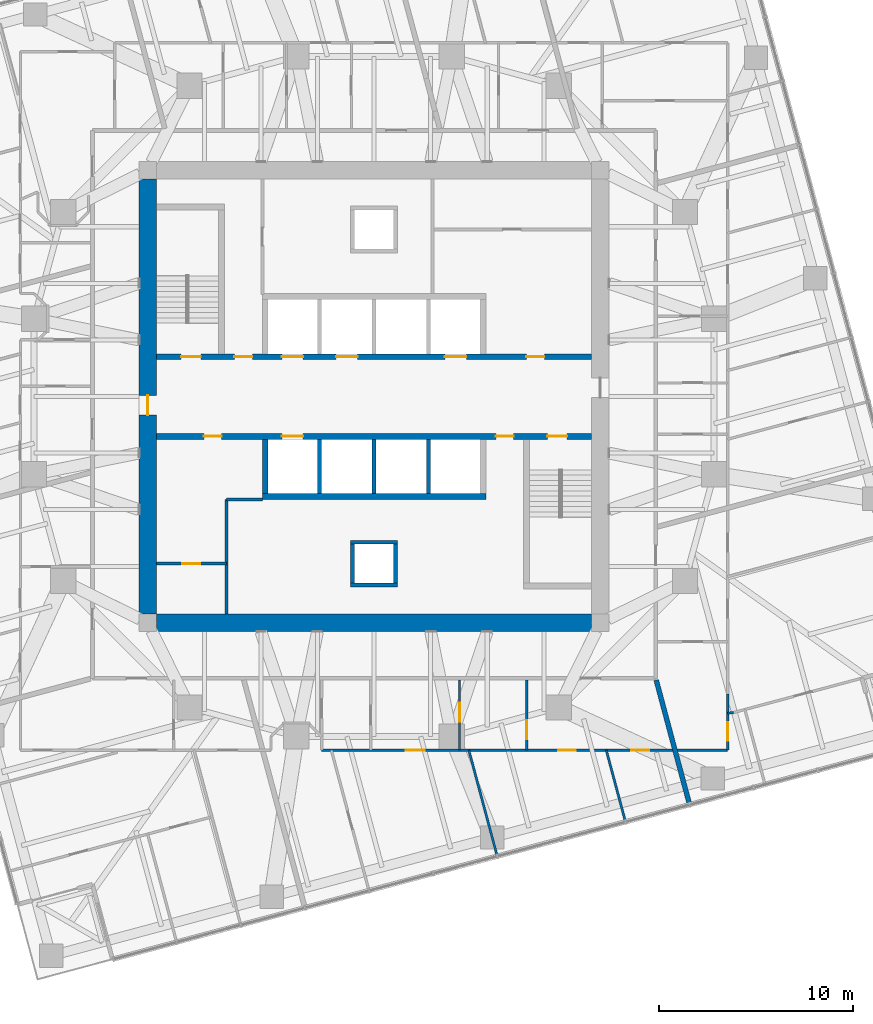
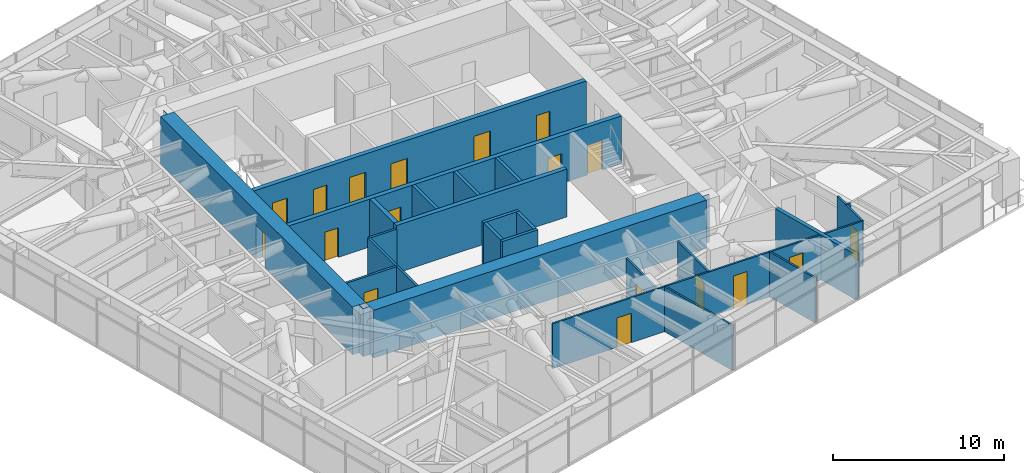
# One storey, part 12 of 18: 24 walls, 18 doors, 18 openings.
"""IFC4 building model written with IfcOpenShell, lengths in metres."""

from ifc_helpers import new_model, si_unit, direction, frame, frame_2d, origin, place, context, subcontext, project, spatial, polyline, rectangle, outline, extrude, material, layer, layer_set, type_object, element, fill, save


model = new_model("IFC4")

# Units and contexts
model_context = context("Model", 3, precision=1e-05, world=origin(), true_north=direction((0.0, 1.0)))
body_context = subcontext(model_context, "Body", "Model", "MODEL_VIEW")
ifc_project = project(units=[si_unit("LENGTHUNIT", "METRE"), si_unit("AREAUNIT", "SQUARE_METRE"), si_unit("VOLUMEUNIT", "CUBIC_METRE"), si_unit("PLANEANGLEUNIT", "RADIAN"), si_unit("MASSUNIT", "GRAM", prefix="KILO")], contexts=[model_context])

# Site, building, storey
site_placement = place(None, origin())
site = spatial("IfcSite", under=ifc_project, at=site_placement, CompositionType="ELEMENT")
building_placement = place(site_placement, origin())
building = spatial("IfcBuilding", under=site, at=building_placement, Name="Torsade Residences", CompositionType="ELEMENT")
storey_placement = place(building_placement, frame((0.0, 0.0, 135.39990234375)))
storey = spatial("IfcBuildingStorey", under=building, at=storey_placement, Name="L37", CompositionType="ELEMENT", Elevation=135.39990234375)

# Wall, openings, doors
ifc_material_1 = material(Name="Concrete 80 MPa", Category="concrete")
ifc_layer_1 = layer(ifc_material_1, 0.300048828125)
ifc_layer_set_1 = layer_set([ifc_layer_1], Name="Concrete 80 MPa")
wall_type_1 = type_object("IfcWallType", Name="CORE INTERNAL WALL 300", PredefinedType="SHEAR", material=ifc_layer_set_1)
wall_1_placement = place(storey_placement, frame((28.800048828125, 32.050048828125, 0.0), z_axis=(0.0, 0.0, 1.0), x_axis=(1.0, 0.0, 0.0)))
wall_1 = element("IfcWall", 1, at=wall_1_placement, inside=storey, type_object=wall_type_1, Name="Core wall LN L37", PredefinedType="SHEAR", context=body_context, shape_type="SweptSolid", body=[
    extrude(rectangle(XDim=22.39990234375, YDim=0.300048828125, at=frame_2d((11.199951171875, 0.0))), origin(), (0.0, 0.0, 1.0), 3.400146484375),
])
opening_1_placement = place(wall_1_placement, frame((19.0400390625, 0.0, 0.0)))
opening_1 = element("IfcOpeningElement", 2, at=opening_1_placement, cuts=wall_1, Name="Opening D06", PredefinedType="OPENING", context=body_context, shape_type="SweptSolid", body=[
    extrude(rectangle(XDim=0.919921875, YDim=2.10009765625, at=frame_2d((0.4599609375, 1.050048828125))), frame((0.0, 0.159912109375, 0.0), z_axis=(0.0, -1.0, 0.0), x_axis=(1.0, 0.0, 0.0)), (0.0, 0.0, 1.0), 0.320068359375),
])
opening_2_placement = place(wall_1_placement, frame((1.264892578125, 0.0, 0.0)))
opening_2 = element("IfcOpeningElement", 3, at=opening_2_placement, cuts=wall_1, Name="Opening D03", PredefinedType="OPENING", context=body_context, shape_type="SweptSolid", body=[
    extrude(rectangle(XDim=1.02001953125, YDim=2.10009765625, at=frame_2d((0.510009765625, 1.050048828125))), frame((0.0, 0.159912109375, 0.0), z_axis=(0.0, -1.0, 0.0), x_axis=(1.0, 0.0, 0.0)), (0.0, 0.0, 1.0), 0.320068359375),
])
opening_3_placement = place(wall_1_placement, frame((4.014892578125, 0.0, 0.0)))
opening_3 = element("IfcOpeningElement", 4, at=opening_3_placement, cuts=wall_1, Name="Opening D06", PredefinedType="OPENING", context=body_context, shape_type="SweptSolid", body=[
    extrude(rectangle(XDim=0.919921875, YDim=2.10009765625, at=frame_2d((0.4599609375, 1.050048828125))), frame((0.0, 0.159912109375, 0.0), z_axis=(0.0, -1.0, 0.0), x_axis=(1.0, 0.0, 0.0)), (0.0, 0.0, 1.0), 0.320068359375),
])
opening_4_placement = place(wall_1_placement, frame((6.449951171875, 0.0, 0.0)))
opening_4 = element("IfcOpeningElement", 5, at=opening_4_placement, cuts=wall_1, Name="Opening LD", PredefinedType="OPENING", context=body_context, shape_type="SweptSolid", body=[
    extrude(rectangle(XDim=1.10009765625, YDim=2.10009765625, at=frame_2d((0.550048828125, 1.050048828125))), frame((0.0, 0.159912109375, 0.0), z_axis=(0.0, -1.0, 0.0), x_axis=(1.0, 0.0, 0.0)), (0.0, 0.0, 1.0), 0.320068359375),
])
opening_5_placement = place(wall_1_placement, frame((9.25, 0.0, 0.0)))
opening_5 = element("IfcOpeningElement", 6, at=opening_5_placement, cuts=wall_1, Name="Opening LD", PredefinedType="OPENING", context=body_context, shape_type="SweptSolid", body=[
    extrude(rectangle(XDim=1.10009765625, YDim=2.10009765625, at=frame_2d((0.550048828125, 1.050048828125))), frame((0.0, 0.159912109375, 0.0), z_axis=(0.0, -1.0, 0.0), x_axis=(1.0, 0.0, 0.0)), (0.0, 0.0, 1.0), 0.320068359375),
])
opening_6_placement = place(wall_1_placement, frame((14.85009765625, 0.0, 0.0)))
opening_6 = element("IfcOpeningElement", 7, at=opening_6_placement, cuts=wall_1, Name="Opening LD", PredefinedType="OPENING", context=body_context, shape_type="SweptSolid", body=[
    extrude(rectangle(XDim=1.10009765625, YDim=2.10009765625, at=frame_2d((0.550048828125, 1.050048828125))), frame((0.0, 0.159912109375, 0.0), z_axis=(0.0, -1.0, 0.0), x_axis=(1.0, 0.0, 0.0)), (0.0, 0.0, 1.0), 0.320068359375),
])
ifc_material_2 = material(Name="Steel-framed fire door", Category="steel")
door_type_1 = type_object("IfcDoorType", Name="FIRE DOOR 1020", OperationType="NOTDEFINED", PredefinedType="DOOR", material=ifc_material_2)
door_1_placement = place(opening_2_placement, origin())
door_1 = element("IfcDoor", 8, at=door_1_placement, inside=storey, type_object=door_type_1, Name="Exit door to fire-isolated stair ST1 L37", OperationType="SINGLE_SWING_RIGHT", OverallHeight=2.10009765625, OverallWidth=1.02001953125, PredefinedType="DOOR", context=body_context, shape_type="SweptSolid", body=[
    extrude(rectangle(XDim=1.02001953125, YDim=2.10009765625, at=frame_2d((0.510009765625, 1.050048828125))), frame((0.0, 0.02490234375, 0.0), z_axis=(0.0, -1.0, 0.0), x_axis=(1.0, 0.0, 0.0)), (0.0, 0.0, 1.0), 0.050048828125),
])
fill(opening_2, door_1)
ifc_material_3 = material(Name="Steel-framed fire door", Category="steel")
door_type_2 = type_object("IfcDoorType", Name="FIRE DOOR 920", OperationType="NOTDEFINED", PredefinedType="DOOR", material=ifc_material_3)
door_2_placement = place(opening_1_placement, origin())
door_2 = element("IfcDoor", 9, at=door_2_placement, inside=storey, type_object=door_type_2, Name="Door Lift lobby to Refuse room", OperationType="SINGLE_SWING_LEFT", OverallHeight=2.10009765625, OverallWidth=0.919921875, PredefinedType="DOOR", context=body_context, shape_type="SweptSolid", body=[
    extrude(rectangle(XDim=0.919921875, YDim=2.10009765625, at=frame_2d((0.4599609375, 1.050048828125))), frame((0.0, 0.02490234375, 0.0), z_axis=(0.0, -1.0, 0.0), x_axis=(1.0, 0.0, 0.0)), (0.0, 0.0, 1.0), 0.050048828125),
])
fill(opening_1, door_2)
door_3_placement = place(opening_3_placement, origin())
door_3 = element("IfcDoor", 10, at=door_3_placement, inside=storey, type_object=door_type_2, Name="Door Lift lobby to Meter store", OperationType="SINGLE_SWING_LEFT", OverallHeight=2.10009765625, OverallWidth=0.919921875, PredefinedType="DOOR", context=body_context, shape_type="SweptSolid", body=[
    extrude(rectangle(XDim=0.919921875, YDim=2.10009765625, at=frame_2d((0.4599609375, 1.050048828125))), frame((0.0, 0.02490234375, 0.0), z_axis=(0.0, -1.0, 0.0), x_axis=(1.0, 0.0, 0.0)), (0.0, 0.0, 1.0), 0.050048828125),
])
fill(opening_3, door_3)
ifc_material_4 = material(Name="Stainless steel lift landing door", Category="steel")
door_type_3 = type_object("IfcDoorType", Name="LIFT LANDING DOOR 1100", OperationType="SLIDING_TO_LEFT", PredefinedType="DOOR", material=ifc_material_4)
door_4_placement = place(opening_4_placement, origin())
door_4 = element("IfcDoor", 11, at=door_4_placement, inside=storey, type_object=door_type_3, Name="Lift LA1 landing door L37", OperationType="SLIDING_TO_LEFT", OverallHeight=2.10009765625, OverallWidth=1.10009765625, PredefinedType="DOOR", context=body_context, shape_type="SweptSolid", body=[
    extrude(rectangle(XDim=1.10009765625, YDim=2.10009765625, at=frame_2d((0.550048828125, 1.050048828125))), frame((0.0, 0.02490234375, 0.0), z_axis=(0.0, -1.0, 0.0), x_axis=(1.0, 0.0, 0.0)), (0.0, 0.0, 1.0), 0.050048828125),
])
fill(opening_4, door_4)
door_5_placement = place(opening_5_placement, origin())
door_5 = element("IfcDoor", 12, at=door_5_placement, inside=storey, type_object=door_type_3, Name="Lift LA2 landing door L37", OperationType="SLIDING_TO_LEFT", OverallHeight=2.10009765625, OverallWidth=1.10009765625, PredefinedType="DOOR", context=body_context, shape_type="SweptSolid", body=[
    extrude(rectangle(XDim=1.10009765625, YDim=2.10009765625, at=frame_2d((0.550048828125, 1.050048828125))), frame((0.0, 0.02490234375, 0.0), z_axis=(0.0, -1.0, 0.0), x_axis=(1.0, 0.0, 0.0)), (0.0, 0.0, 1.0), 0.050048828125),
])
fill(opening_5, door_5)
door_6_placement = place(opening_6_placement, origin())
door_6 = element("IfcDoor", 13, at=door_6_placement, inside=storey, type_object=door_type_3, Name="Lift FL1 landing door L37", OperationType="SLIDING_TO_LEFT", OverallHeight=2.10009765625, OverallWidth=1.10009765625, PredefinedType="DOOR", context=body_context, shape_type="SweptSolid", body=[
    extrude(rectangle(XDim=1.10009765625, YDim=2.10009765625, at=frame_2d((0.550048828125, 1.050048828125))), frame((0.0, 0.02490234375, 0.0), z_axis=(0.0, -1.0, 0.0), x_axis=(1.0, 0.0, 0.0)), (0.0, 0.0, 1.0), 0.050048828125),
])
fill(opening_6, door_6)

wall_2_placement = place(storey_placement, frame((51.199951171875, 27.949951171875, 0.0), z_axis=(0.0, 0.0, 1.0), x_axis=(-1.0, 0.0, 0.0)))
wall_2 = element("IfcWall", 14, at=wall_2_placement, inside=storey, type_object=wall_type_1, Name="Core wall LS L37", PredefinedType="SHEAR", context=body_context, shape_type="SweptSolid", body=[
    extrude(rectangle(XDim=22.39990234375, YDim=0.300048828125, at=frame_2d((11.199951171875, 0.0))), origin(), (0.0, 0.0, 1.0), 3.400146484375),
])
opening_7_placement = place(wall_2_placement, frame((19.0400390625, 0.0, 0.0)))
opening_7 = element("IfcOpeningElement", 15, at=opening_7_placement, cuts=wall_2, Name="Opening D06", PredefinedType="OPENING", context=body_context, shape_type="SweptSolid", body=[
    extrude(rectangle(XDim=0.919921875, YDim=2.10009765625, at=frame_2d((0.4599609375, 1.050048828125))), frame((0.0, 0.159912109375, 0.0), z_axis=(0.0, -1.0, 0.0), x_axis=(1.0, 0.0, 0.0)), (0.0, 0.0, 1.0), 0.320068359375),
])
opening_8_placement = place(wall_2_placement, frame((1.264892578125, 0.0, 0.0)))
opening_8 = element("IfcOpeningElement", 16, at=opening_8_placement, cuts=wall_2, Name="Opening D03", PredefinedType="OPENING", context=body_context, shape_type="SweptSolid", body=[
    extrude(rectangle(XDim=1.02001953125, YDim=2.10009765625, at=frame_2d((0.510009765625, 1.050048828125))), frame((0.0, 0.159912109375, 0.0), z_axis=(0.0, -1.0, 0.0), x_axis=(1.0, 0.0, 0.0)), (0.0, 0.0, 1.0), 0.320068359375),
])
opening_9_placement = place(wall_2_placement, frame((4.014892578125, 0.0, 0.0)))
opening_9 = element("IfcOpeningElement", 17, at=opening_9_placement, cuts=wall_2, Name="Opening D06", PredefinedType="OPENING", context=body_context, shape_type="SweptSolid", body=[
    extrude(rectangle(XDim=0.919921875, YDim=2.10009765625, at=frame_2d((0.4599609375, 1.050048828125))), frame((0.0, 0.159912109375, 0.0), z_axis=(0.0, -1.0, 0.0), x_axis=(1.0, 0.0, 0.0)), (0.0, 0.0, 1.0), 0.320068359375),
])
opening_10_placement = place(wall_2_placement, frame((14.85009765625, 0.0, 0.0)))
opening_10 = element("IfcOpeningElement", 18, at=opening_10_placement, cuts=wall_2, Name="Opening LD", PredefinedType="OPENING", context=body_context, shape_type="SweptSolid", body=[
    extrude(rectangle(XDim=1.10009765625, YDim=2.10009765625, at=frame_2d((0.550048828125, 1.050048828125))), frame((0.0, 0.159912109375, 0.0), z_axis=(0.0, -1.0, 0.0), x_axis=(1.0, 0.0, 0.0)), (0.0, 0.0, 1.0), 0.320068359375),
])
door_7_placement = place(opening_8_placement, origin())
door_7 = element("IfcDoor", 19, at=door_7_placement, inside=storey, type_object=door_type_1, Name="Exit door to fire-isolated stair ST2 L37", OperationType="SINGLE_SWING_RIGHT", OverallHeight=2.10009765625, OverallWidth=1.02001953125, PredefinedType="DOOR", context=body_context, shape_type="SweptSolid", body=[
    extrude(rectangle(XDim=1.02001953125, YDim=2.10009765625, at=frame_2d((0.510009765625, 1.050048828125))), frame((0.0, 0.02490234375, 0.0), z_axis=(0.0, -1.0, 0.0), x_axis=(1.0, 0.0, 0.0)), (0.0, 0.0, 1.0), 0.050048828125),
])
fill(opening_8, door_7)
door_8_placement = place(opening_7_placement, origin())
door_8 = element("IfcDoor", 20, at=door_8_placement, inside=storey, type_object=door_type_2, Name="Door Lift lobby to Cleaner store", OperationType="SINGLE_SWING_LEFT", OverallHeight=2.10009765625, OverallWidth=0.919921875, PredefinedType="DOOR", context=body_context, shape_type="SweptSolid", body=[
    extrude(rectangle(XDim=0.919921875, YDim=2.10009765625, at=frame_2d((0.4599609375, 1.050048828125))), frame((0.0, 0.02490234375, 0.0), z_axis=(0.0, -1.0, 0.0), x_axis=(1.0, 0.0, 0.0)), (0.0, 0.0, 1.0), 0.050048828125),
])
fill(opening_7, door_8)
door_9_placement = place(opening_9_placement, origin())
door_9 = element("IfcDoor", 21, at=door_9_placement, inside=storey, type_object=door_type_2, Name="Door Lift lobby to Communications riser room", OperationType="SINGLE_SWING_RIGHT", OverallHeight=2.10009765625, OverallWidth=0.919921875, PredefinedType="DOOR", context=body_context, shape_type="SweptSolid", body=[
    extrude(rectangle(XDim=0.919921875, YDim=2.10009765625, at=frame_2d((0.4599609375, 1.050048828125))), frame((0.0, 0.02490234375, 0.0), z_axis=(0.0, -1.0, 0.0), x_axis=(1.0, 0.0, 0.0)), (0.0, 0.0, 1.0), 0.050048828125),
])
fill(opening_9, door_9)
door_10_placement = place(opening_10_placement, origin())
door_10 = element("IfcDoor", 22, at=door_10_placement, inside=storey, type_object=door_type_3, Name="Lift FL2 landing door L37", OperationType="SLIDING_TO_LEFT", OverallHeight=2.10009765625, OverallWidth=1.10009765625, PredefinedType="DOOR", context=body_context, shape_type="SweptSolid", body=[
    extrude(rectangle(XDim=1.10009765625, YDim=2.10009765625, at=frame_2d((0.550048828125, 1.050048828125))), frame((0.0, 0.02490234375, 0.0), z_axis=(0.0, -1.0, 0.0), x_axis=(1.0, 0.0, 0.0)), (0.0, 0.0, 1.0), 0.050048828125),
])
fill(opening_10, door_10)

# Walls
wall_3_placement = place(storey_placement, frame((45.75, 24.85009765625, 0.0), z_axis=(0.0, 0.0, 1.0), x_axis=(-1.0, 0.0, 0.0)))
element("IfcWall", 23, at=wall_3_placement, inside=storey, type_object=wall_type_1, Name="Core wall BS L37", PredefinedType="SHEAR", context=body_context, shape_type="SweptSolid", body=[
    extrude(rectangle(XDim=11.5, YDim=0.300048828125, at=frame_2d((5.75, 0.0))), origin(), (0.0, 0.0, 1.0), 3.400146484375),
])
wall_4_placement = place(storey_placement, frame((34.39990234375, 27.800048828125, 0.0), z_axis=(0.0, 0.0, 1.0), x_axis=(0.0, -1.0, 0.0)))
element("IfcWall", 24, at=wall_4_placement, inside=storey, type_object=wall_type_1, Name="Core wall DS4 L37", PredefinedType="SHEAR", context=body_context, shape_type="SweptSolid", body=[
    extrude(rectangle(XDim=2.800048828125, YDim=0.300048828125, at=frame_2d((1.39990234375, 0.0))), origin(), (0.0, 0.0, 1.0), 3.400146484375),
])
ifc_material_5 = material(Name="Concrete 80 MPa", Category="concrete")
ifc_layer_2 = layer(ifc_material_5, 0.89990234375)
ifc_layer_set_2 = layer_set([ifc_layer_2], Name="Concrete 80 MPa")
wall_type_2 = type_object("IfcWallType", Name="CORE WALL 900", PredefinedType="SHEAR", material=ifc_layer_set_2)
wall_5_placement = place(storey_placement, frame((51.199951171875, 18.35009765625, 0.0), z_axis=(0.0, 0.0, 1.0), x_axis=(-1.0, 0.0, 0.0)))
element("IfcWall", 25, at=wall_5_placement, inside=storey, type_object=wall_type_2, Name="Core wall S L37", PredefinedType="SHEAR", context=body_context, shape_type="SweptSolid", body=[
    extrude(outline(polyline([(0.0, -0.449951171875), (22.39990234375, -0.449951171875), (22.39990234375, -0.02490234375), (22.849853515625, -0.02490234375), (22.849853515625, 0.02490234375), (22.39990234375, 0.02490234375), (22.39990234375, 0.449951171875), (0.0, 0.449951171875), (0.0, 0.02490234375), (-0.449951171875, 0.02490234375), (-0.449951171875, -0.02490234375), (0.0, -0.02490234375), (0.0, -0.449951171875)])), origin(), (0.0, 0.0, 1.0), 3.400146484375),
])

# Wall, opening, door
wall_6_placement = place(storey_placement, frame((28.35009765625, 41.199951171875, 0.0), z_axis=(0.0, 0.0, 1.0), x_axis=(0.0, -1.0, 0.0)))
wall_6 = element("IfcWall", 26, at=wall_6_placement, inside=storey, type_object=wall_type_2, Name="Core wall W L37", PredefinedType="SHEAR", context=body_context, shape_type="SweptSolid", body=[
    extrude(outline(polyline([(0.0, -0.449951171875), (22.39990234375, -0.449951171875), (22.39990234375, -0.02490234375), (22.849853515625, -0.02490234375), (22.849853515625, 0.02490234375), (22.39990234375, 0.02490234375), (22.39990234375, 0.449951171875), (0.0, 0.449951171875), (0.0, 0.02490234375), (-0.449951171875, 0.02490234375), (-0.449951171875, -0.02490234375), (0.0, -0.02490234375), (0.0, -0.449951171875)])), origin(), (0.0, 0.0, 1.0), 3.400146484375),
])
opening_11_placement = place(wall_6_placement, frame((11.139892578125, 0.0, 0.0)))
opening_11 = element("IfcOpeningElement", 27, at=opening_11_placement, cuts=wall_6, Name="Opening D04", PredefinedType="OPENING", context=body_context, shape_type="SweptSolid", body=[
    extrude(rectangle(XDim=1.02001953125, YDim=2.39990234375, at=frame_2d((0.510009765625, 1.199951171875))), frame((0.0, 0.4599609375, 0.0), z_axis=(0.0, -1.0, 0.0), x_axis=(1.0, 0.0, 0.0)), (0.0, 0.0, 1.0), 0.919921875),
])
ifc_material_6 = material(Name="Steel-framed fire door", Category="steel")
door_type_4 = type_object("IfcDoorType", Name="LOBBY SMOKE DOOR 1020x2400", OperationType="NOTDEFINED", PredefinedType="DOOR", material=ifc_material_6)
door_11_placement = place(opening_11_placement, origin())
door_11 = element("IfcDoor", 28, at=door_11_placement, inside=storey, type_object=door_type_4, Name="Lift lobby door W L37", OperationType="SINGLE_SWING_RIGHT", OverallHeight=2.39990234375, OverallWidth=1.02001953125, PredefinedType="DOOR", context=body_context, shape_type="SweptSolid", body=[
    extrude(rectangle(XDim=1.02001953125, YDim=2.39990234375, at=frame_2d((0.510009765625, 1.199951171875))), frame((0.0, 0.02490234375, 0.0), z_axis=(0.0, -1.0, 0.0), x_axis=(1.0, 0.0, 0.0)), (0.0, 0.0, 1.0), 0.050048828125),
])
fill(opening_11, door_11)

# Walls
ifc_material_7 = material(Name="Reinforced blockwork", Category="masonry")
ifc_layer_3 = layer(ifc_material_7, 0.199951171875)
ifc_layer_set_3 = layer_set([ifc_layer_3], Name="Reinforced blockwork")
wall_type_3 = type_object("IfcWallType", Name="LIFT SHAFT DIVIDING WALL 200", PredefinedType="SOLIDWALL", material=ifc_layer_set_3)
for number, where, z_axis, x_axis, name in (
    (29, (42.800048828125, 27.800048828125, 0.0), (0.0, 0.0, 1.0), (0.0, -1.0, 0.0), "Core wall DS1 L37"),
    (30, (40.0, 27.800048828125, 0.0), (0.0, 0.0, 1.0), (0.0, -1.0, 0.0), "Core wall DS2 L37"),
    (31, (37.199951171875, 27.800048828125, 0.0), (0.0, 0.0, 1.0), (0.0, -1.0, 0.0), "Core wall DS3 L37"),
):
    element("IfcWall", number, at=place(storey_placement, frame(where, z_axis=z_axis, x_axis=x_axis)), inside=storey, type_object=wall_type_3, Name=name, PredefinedType="SOLIDWALL", context=body_context, shape_type="SweptSolid", body=[
        extrude(rectangle(XDim=2.800048828125, YDim=0.199951171875, at=frame_2d((1.39990234375, 0.0))), origin(), (0.0, 0.0, 1.0), 3.400146484375),
    ])

# Wall, opening, door
ifc_material_8 = material(Name="Plasterboard on steel stud", Category="steel")
ifc_layer_4 = layer(ifc_material_8, 0.1201171875)
ifc_layer_set_4 = layer_set([ifc_layer_4], Name="Plasterboard on steel stud")
wall_type_4 = type_object("IfcWallType", Name="PARTITION 120", PredefinedType="PARTITIONING", material=ifc_layer_set_4)
wall_7_placement = place(storey_placement, frame((47.8623046875, 11.800048828125, 0.0), z_axis=(0.0, 0.0, 1.0), x_axis=(0.0, 1.0, 0.0)))
wall_7 = element("IfcWall", 32, at=wall_7_placement, inside=storey, type_object=wall_type_4, Name="Partition L37", PredefinedType="PARTITIONING", context=body_context, shape_type="SweptSolid", body=[
    extrude(rectangle(XDim=3.599853515625, YDim=0.1201171875, at=frame_2d((1.7998046875, 0.0))), origin(), (0.0, 0.0, 1.0), 3.2001953125),
])
opening_12_placement = place(wall_7_placement, frame((0.570068359375, 0.0, 0.0)))
opening_12 = element("IfcOpeningElement", 33, at=opening_12_placement, cuts=wall_7, Name="Opening D05", PredefinedType="OPENING", context=body_context, shape_type="SweptSolid", body=[
    extrude(rectangle(XDim=0.9599609375, YDim=2.10009765625, at=frame_2d((0.47998046875, 1.050048828125))), frame((0.0, 0.070068359375, 0.0), z_axis=(0.0, -1.0, 0.0), x_axis=(1.0, 0.0, 0.0)), (0.0, 0.0, 1.0), 0.14013671875),
])
ifc_material_9 = material(Name="Hollow-core timber door in a steel cavity frame", Category="steel")
door_type_5 = type_object("IfcDoorType", Name="BATHROOM CAVITY SLIDING DOOR 960", OperationType="SLIDING_TO_LEFT", PredefinedType="DOOR", material=ifc_material_9)
door_12_placement = place(opening_12_placement, origin())
door_12 = element("IfcDoor", 34, at=door_12_placement, inside=storey, type_object=door_type_5, Name="Door Kitchen and dining to Laundry", OperationType="SLIDING_TO_LEFT", OverallHeight=2.10009765625, OverallWidth=0.9599609375, PredefinedType="DOOR", context=body_context, shape_type="SweptSolid", body=[
    extrude(rectangle(XDim=0.9599609375, YDim=2.10009765625, at=frame_2d((0.47998046875, 1.050048828125))), frame((0.0, 0.02490234375, 0.0), z_axis=(0.0, -1.0, 0.0), x_axis=(1.0, 0.0, 0.0)), (0.0, 0.0, 1.0), 0.050048828125),
])
fill(opening_12, door_12)

# Wall, openings, doors
wall_8_placement = place(storey_placement, frame((58.199951171875, 11.800048828125, 0.0), z_axis=(0.0, 0.0, 1.0), x_axis=(-1.0, 0.0, 0.0)))
wall_8 = element("IfcWall", 35, at=wall_8_placement, inside=storey, type_object=wall_type_4, Name="Partition L37", PredefinedType="PARTITIONING", context=body_context, shape_type="SweptSolid", body=[
    extrude(rectangle(XDim=20.899658203125, YDim=0.1201171875, at=frame_2d((10.44970703125, 0.0))), origin(), (0.0, 0.0, 1.0), 3.2001953125),
])
opening_13_placement = place(wall_8_placement, frame((7.807373046875, 0.0, 0.0)))
opening_13 = element("IfcOpeningElement", 36, at=opening_13_placement, cuts=wall_8, Name="Opening D02", PredefinedType="OPENING", context=body_context, shape_type="SweptSolid", body=[
    extrude(rectangle(XDim=0.919921875, YDim=2.340087890625, at=frame_2d((0.4599609375, 1.169921875))), frame((0.0, 0.070068359375, 0.0), z_axis=(0.0, -1.0, 0.0), x_axis=(1.0, 0.0, 0.0)), (0.0, 0.0, 1.0), 0.14013671875),
])
opening_14_placement = place(wall_8_placement, frame((4.046142578125, 0.0, 0.0)))
opening_14 = element("IfcOpeningElement", 37, at=opening_14_placement, cuts=wall_8, Name="Opening D02", PredefinedType="OPENING", context=body_context, shape_type="SweptSolid", body=[
    extrude(rectangle(XDim=0.919921875, YDim=2.340087890625, at=frame_2d((0.4599609375, 1.169921875))), frame((0.0, 0.070068359375, 0.0), z_axis=(0.0, -1.0, 0.0), x_axis=(1.0, 0.0, 0.0)), (0.0, 0.0, 1.0), 0.14013671875),
])
opening_15_placement = place(wall_8_placement, frame((15.601806640625, 0.0, 0.0)))
opening_15 = element("IfcOpeningElement", 38, at=opening_15_placement, cuts=wall_8, Name="Opening D05", PredefinedType="OPENING", context=body_context, shape_type="SweptSolid", body=[
    extrude(rectangle(XDim=0.9599609375, YDim=2.10009765625, at=frame_2d((0.47998046875, 1.050048828125))), frame((0.0, 0.070068359375, 0.0), z_axis=(0.0, -1.0, 0.0), x_axis=(1.0, 0.0, 0.0)), (0.0, 0.0, 1.0), 0.14013671875),
])
door_13_placement = place(opening_15_placement, origin())
door_13 = element("IfcDoor", 39, at=door_13_placement, inside=storey, type_object=door_type_5, Name="Door Bathroom to Living room", OperationType="SLIDING_TO_LEFT", OverallHeight=2.10009765625, OverallWidth=0.9599609375, PredefinedType="DOOR", context=body_context, shape_type="SweptSolid", body=[
    extrude(rectangle(XDim=0.9599609375, YDim=2.10009765625, at=frame_2d((0.47998046875, 1.050048828125))), frame((0.0, 0.02490234375, 0.0), z_axis=(0.0, -1.0, 0.0), x_axis=(1.0, 0.0, 0.0)), (0.0, 0.0, 1.0), 0.050048828125),
])
fill(opening_15, door_13)
ifc_material_10 = material(Name="Hollow-core timber door", Category="wood")
door_type_6 = type_object("IfcDoorType", Name="INTERNAL DOOR 920x2340", OperationType="NOTDEFINED", PredefinedType="DOOR", material=ifc_material_10)
door_14_placement = place(opening_13_placement, origin())
door_14 = element("IfcDoor", 40, at=door_14_placement, inside=storey, type_object=door_type_6, Name="Door Kitchen and dining to Bedroom 1", OperationType="SINGLE_SWING_LEFT", OverallHeight=2.340087890625, OverallWidth=0.919921875, PredefinedType="DOOR", context=body_context, shape_type="SweptSolid", body=[
    extrude(rectangle(XDim=0.919921875, YDim=2.340087890625, at=frame_2d((0.4599609375, 1.169921875))), frame((0.0, 0.02490234375, 0.0), z_axis=(0.0, -1.0, 0.0), x_axis=(1.0, 0.0, 0.0)), (0.0, 0.0, 1.0), 0.050048828125),
])
fill(opening_13, door_14)
door_15_placement = place(opening_14_placement, origin())
door_15 = element("IfcDoor", 41, at=door_15_placement, inside=storey, type_object=door_type_6, Name="Door Kitchen and dining to Bedroom 3", OperationType="SINGLE_SWING_RIGHT", OverallHeight=2.340087890625, OverallWidth=0.919921875, PredefinedType="DOOR", context=body_context, shape_type="SweptSolid", body=[
    extrude(rectangle(XDim=0.919921875, YDim=2.340087890625, at=frame_2d((0.4599609375, 1.169921875))), frame((0.0, 0.02490234375, 0.0), z_axis=(0.0, -1.0, 0.0), x_axis=(1.0, 0.0, 0.0)), (0.0, 0.0, 1.0), 0.050048828125),
])
fill(opening_14, door_15)

# Wall, opening, door
wall_9_placement = place(storey_placement, frame((44.4013671875, 15.39990234375, 0.0), z_axis=(0.0, 0.0, 1.0), x_axis=(0.0, -1.0, 0.0)))
wall_9 = element("IfcWall", 42, at=wall_9_placement, inside=storey, type_object=wall_type_4, Name="Partition L37", PredefinedType="PARTITIONING", context=body_context, shape_type="SweptSolid", body=[
    extrude(rectangle(XDim=3.599853515625, YDim=0.1201171875, at=frame_2d((1.7998046875, 0.0))), origin(), (0.0, 0.0, 1.0), 3.2001953125),
])
opening_16_placement = place(wall_9_placement, frame((1.169921875, 0.0, 0.0)))
opening_16 = element("IfcOpeningElement", 43, at=opening_16_placement, cuts=wall_9, Name="Opening D05", PredefinedType="OPENING", context=body_context, shape_type="SweptSolid", body=[
    extrude(rectangle(XDim=0.9599609375, YDim=2.10009765625, at=frame_2d((0.47998046875, 1.050048828125))), frame((0.0, 0.070068359375, 0.0), z_axis=(0.0, -1.0, 0.0), x_axis=(1.0, 0.0, 0.0)), (0.0, 0.0, 1.0), 0.14013671875),
])
door_16_placement = place(opening_16_placement, origin())
door_16 = element("IfcDoor", 44, at=door_16_placement, inside=storey, type_object=door_type_5, Name="Door Laundry to Bathroom", OperationType="SLIDING_TO_LEFT", OverallHeight=2.10009765625, OverallWidth=0.9599609375, PredefinedType="DOOR", context=body_context, shape_type="SweptSolid", body=[
    extrude(rectangle(XDim=0.9599609375, YDim=2.10009765625, at=frame_2d((0.47998046875, 1.050048828125))), frame((0.0, 0.02490234375, 0.0), z_axis=(0.0, -1.0, 0.0), x_axis=(1.0, 0.0, 0.0)), (0.0, 0.0, 1.0), 0.050048828125),
])
fill(opening_16, door_16)

# Walls
wall_10_placement = place(storey_placement, frame((44.876708984375, 11.800048828125, 0.0), z_axis=(0.0, 0.0, 1.0), x_axis=(0.258830937246, -0.96592263972, 0.0)))
element("IfcWall", 45, at=wall_10_placement, inside=storey, type_object=wall_type_4, Name="Partition L37", PredefinedType="PARTITIONING", context=body_context, shape_type="SweptSolid", body=[
    extrude(rectangle(XDim=5.617919921875, YDim=0.1201171875, at=frame_2d((2.80908203125, 0.0))), origin(), (0.0, 0.0, 1.0), 3.2001953125),
])
wall_11_placement = place(storey_placement, frame((51.951171875, 11.800048828125, 0.0), z_axis=(0.0, 0.0, 1.0), x_axis=(0.258777977267, -0.965936829447, 0.0)))
element("IfcWall", 46, at=wall_11_placement, inside=storey, type_object=wall_type_4, Name="Partition L37", PredefinedType="PARTITIONING", context=body_context, shape_type="SweptSolid", body=[
    extrude(rectangle(XDim=3.786865234375, YDim=0.1201171875, at=frame_2d((1.8935546875, 0.0))), origin(), (0.0, 0.0, 1.0), 3.2001953125),
])

# Wall, opening, door
wall_12_placement = place(storey_placement, frame((58.199951171875, 14.6875, 0.0), z_axis=(0.0, 0.0, 1.0), x_axis=(0.0, -1.0, 0.0)))
wall_12 = element("IfcWall", 47, at=wall_12_placement, inside=storey, type_object=wall_type_4, Name="Partition L37", PredefinedType="PARTITIONING", context=body_context, shape_type="SweptSolid", body=[
    extrude(rectangle(XDim=2.887451171875, YDim=0.1201171875, at=frame_2d((1.44384765625, 0.0))), origin(), (0.0, 0.0, 1.0), 3.2001953125),
])
opening_17_placement = place(wall_12_placement, frame((1.454833984375, 0.0, 0.0)))
opening_17 = element("IfcOpeningElement", 48, at=opening_17_placement, cuts=wall_12, Name="Opening D05", PredefinedType="OPENING", context=body_context, shape_type="SweptSolid", body=[
    extrude(rectangle(XDim=0.9599609375, YDim=2.10009765625, at=frame_2d((0.47998046875, 1.050048828125))), frame((0.0, 0.070068359375, 0.0), z_axis=(0.0, -1.0, 0.0), x_axis=(1.0, 0.0, 0.0)), (0.0, 0.0, 1.0), 0.14013671875),
])
door_17_placement = place(opening_17_placement, origin())
door_17 = element("IfcDoor", 49, at=door_17_placement, inside=storey, type_object=door_type_5, Name="Door Bathroom to Bedroom 3", OperationType="SLIDING_TO_LEFT", OverallHeight=2.10009765625, OverallWidth=0.9599609375, PredefinedType="DOOR", context=body_context, shape_type="SweptSolid", body=[
    extrude(rectangle(XDim=0.9599609375, YDim=2.10009765625, at=frame_2d((0.47998046875, 1.050048828125))), frame((0.0, 0.02490234375, 0.0), z_axis=(0.0, -1.0, 0.0), x_axis=(1.0, 0.0, 0.0)), (0.0, 0.0, 1.0), 0.050048828125),
])
fill(opening_17, door_17)

# Walls
wall_13_placement = place(storey_placement, frame((58.5068359375, 13.735595703125, 0.0), z_axis=(0.0, 0.0, 1.0), x_axis=(-0.995169554704, -0.09817106188, 0.0)))
element("IfcWall", 50, at=wall_13_placement, inside=storey, type_object=wall_type_4, Name="Partition L37", PredefinedType="PARTITIONING", context=body_context, shape_type="SweptSolid", body=[
    extrude(rectangle(XDim=0.308349609375, YDim=0.1201171875, at=frame_2d((0.154296875, 0.0))), origin(), (0.0, 0.0, 1.0), 3.2001953125),
])
ifc_material_11 = material(Name="Masonry-lined stud party wall", Category="masonry")
ifc_layer_5 = layer(ifc_material_11, 0.25)
ifc_layer_set_5 = layer_set([ifc_layer_5], Name="Masonry-lined stud party wall")
wall_type_5 = type_object("IfcWallType", Name="PARTY WALL 250", PredefinedType="PARTITIONING", material=ifc_layer_set_5)
wall_14_placement = place(storey_placement, frame((56.24169921875, 8.98779296875, 0.0), z_axis=(0.0, 0.0, 1.0), x_axis=(-0.25880587229, 0.965929355837, 0.0)))
element("IfcWall", 51, at=wall_14_placement, inside=storey, type_object=wall_type_5, Name="Party wall L37", PredefinedType="PARTITIONING", context=body_context, shape_type="SweptSolid", body=[
    extrude(rectangle(XDim=6.644775390625, YDim=0.25, at=frame_2d((3.322265625, 0.0))), origin(), (0.0, 0.0, 1.0), 3.2001953125),
])
ifc_material_12 = material(Name="Reinforced blockwork", Category="masonry")
ifc_layer_6 = layer(ifc_material_12, 0.199951171875)
ifc_layer_set_6 = layer_set([ifc_layer_6], Name="Reinforced blockwork")
wall_type_6 = type_object("IfcWallType", Name="RISER SHAFT WALL 200", PredefinedType="SOLIDWALL", material=ifc_layer_set_6)
for number, where, z_axis, x_axis, name in (
    (52, (38.89990234375, 22.39990234375, 0.0), (0.0, 0.0, 1.0), (0.0, -1.0, 0.0), "Core wall RS2a L37"),
    (53, (41.10009765625, 22.39990234375, 0.0), (0.0, 0.0, 1.0), (0.0, -1.0, 0.0), "Core wall RS2b L37"),
):
    element("IfcWall", number, at=place(storey_placement, frame(where, z_axis=z_axis, x_axis=x_axis)), inside=storey, type_object=wall_type_6, Name=name, PredefinedType="SOLIDWALL", context=body_context, shape_type="SweptSolid", body=[
        extrude(rectangle(XDim=2.0, YDim=0.199951171875, at=frame_2d((1.0, 0.0))), origin(), (0.0, 0.0, 1.0), 3.400146484375),
    ])
for number, where, z_axis, x_axis, name in (
    (54, (38.800048828125, 22.5, 0.0), (0.0, 0.0, 1.0), (1.0, 0.0, 0.0), "Core wall RS2c L37"),
    (55, (38.800048828125, 20.300048828125, 0.0), (0.0, 0.0, 1.0), (1.0, 0.0, 0.0), "Core wall RS2d L37"),
):
    element("IfcWall", number, at=place(storey_placement, frame(where, z_axis=z_axis, x_axis=x_axis)), inside=storey, type_object=wall_type_6, Name=name, PredefinedType="SOLIDWALL", context=body_context, shape_type="SweptSolid", body=[
        extrude(rectangle(XDim=2.39990234375, YDim=0.199951171875, at=frame_2d((1.199951171875, 0.0))), origin(), (0.0, 0.0, 1.0), 3.400146484375),
    ])
ifc_material_13 = material(Name="Reinforced blockwork", Category="masonry")
ifc_layer_7 = layer(ifc_material_13, 0.14990234375)
ifc_layer_set_7 = layer_set([ifc_layer_7], Name="Reinforced blockwork")
wall_type_7 = type_object("IfcWallType", Name="SERVICE ROOM WALL 150", PredefinedType="SOLIDWALL", material=ifc_layer_set_7)
wall_15_placement = place(storey_placement, frame((32.39990234375, 18.800048828125, 0.0), z_axis=(0.0, 0.0, 1.0), x_axis=(0.0, 1.0, 0.0)))
element("IfcWall", 56, at=wall_15_placement, inside=storey, type_object=wall_type_7, Name="Service room wall L37", PredefinedType="SOLIDWALL", context=body_context, shape_type="SweptSolid", body=[
    extrude(rectangle(XDim=5.89990234375, YDim=0.14990234375, at=frame_2d((2.949951171875, 0.0))), origin(), (0.0, 0.0, 1.0), 3.2001953125),
])
wall_16_placement = place(storey_placement, frame((32.39990234375, 24.699951171875, 0.0), z_axis=(0.0, 0.0, 1.0), x_axis=(1.0, 0.0, 0.0)))
element("IfcWall", 57, at=wall_16_placement, inside=storey, type_object=wall_type_7, Name="Service room wall L37", PredefinedType="SOLIDWALL", context=body_context, shape_type="SweptSolid", body=[
    extrude(rectangle(XDim=1.85009765625, YDim=0.14990234375, at=frame_2d((0.925048828125, 0.0))), origin(), (0.0, 0.0, 1.0), 3.2001953125),
])

# Wall, opening, door
wall_17_placement = place(storey_placement, frame((32.39990234375, 21.39990234375, 0.0), z_axis=(0.0, 0.0, 1.0), x_axis=(-1.0, 0.0, 0.0)))
wall_17 = element("IfcWall", 58, at=wall_17_placement, inside=storey, type_object=wall_type_7, Name="Service room wall L37", PredefinedType="SOLIDWALL", context=body_context, shape_type="SweptSolid", body=[
    extrude(rectangle(XDim=3.599853515625, YDim=0.14990234375, at=frame_2d((1.7998046875, 0.0))), origin(), (0.0, 0.0, 1.0), 3.2001953125),
])
opening_18_placement = place(wall_17_placement, frame((1.340087890625, 0.0, 0.0)))
opening_18 = element("IfcOpeningElement", 59, at=opening_18_placement, cuts=wall_17, Name="Opening D06", PredefinedType="OPENING", context=body_context, shape_type="SweptSolid", body=[
    extrude(rectangle(XDim=0.919921875, YDim=2.10009765625, at=frame_2d((0.4599609375, 1.050048828125))), frame((0.0, 0.0849609375, 0.0), z_axis=(0.0, -1.0, 0.0), x_axis=(1.0, 0.0, 0.0)), (0.0, 0.0, 1.0), 0.169921875),
])
door_18_placement = place(opening_18_placement, origin())
door_18 = element("IfcDoor", 60, at=door_18_placement, inside=storey, type_object=door_type_2, Name="Door Cleaner store to Hose reel and hydrant store", OperationType="SINGLE_SWING_LEFT", OverallHeight=2.10009765625, OverallWidth=0.919921875, PredefinedType="DOOR", context=body_context, shape_type="SweptSolid", body=[
    extrude(rectangle(XDim=0.919921875, YDim=2.10009765625, at=frame_2d((0.4599609375, 1.050048828125))), frame((0.0, 0.02490234375, 0.0), z_axis=(0.0, -1.0, 0.0), x_axis=(1.0, 0.0, 0.0)), (0.0, 0.0, 1.0), 0.050048828125),
])
fill(opening_18, door_18)

save(model, "model.ifc")
